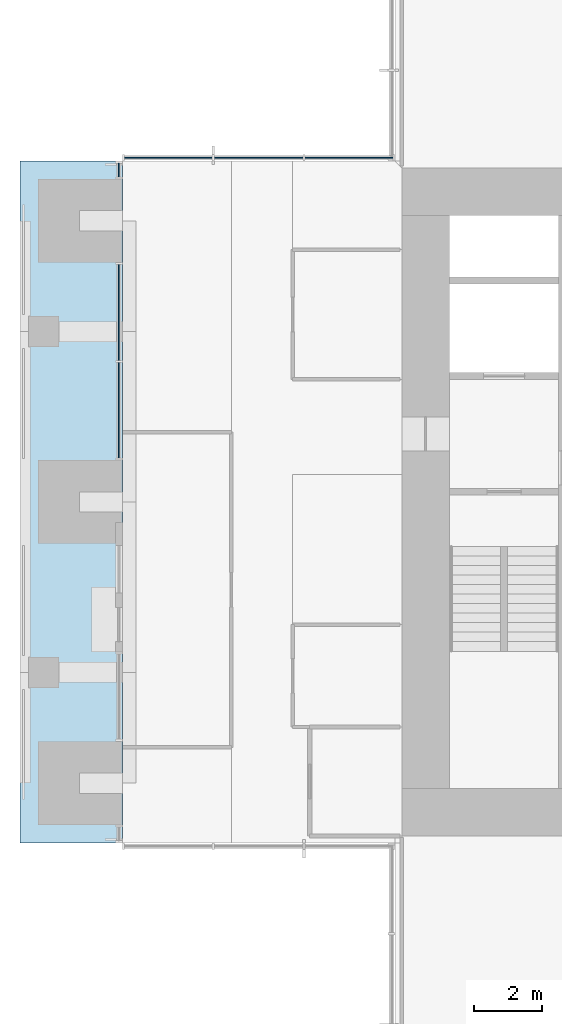
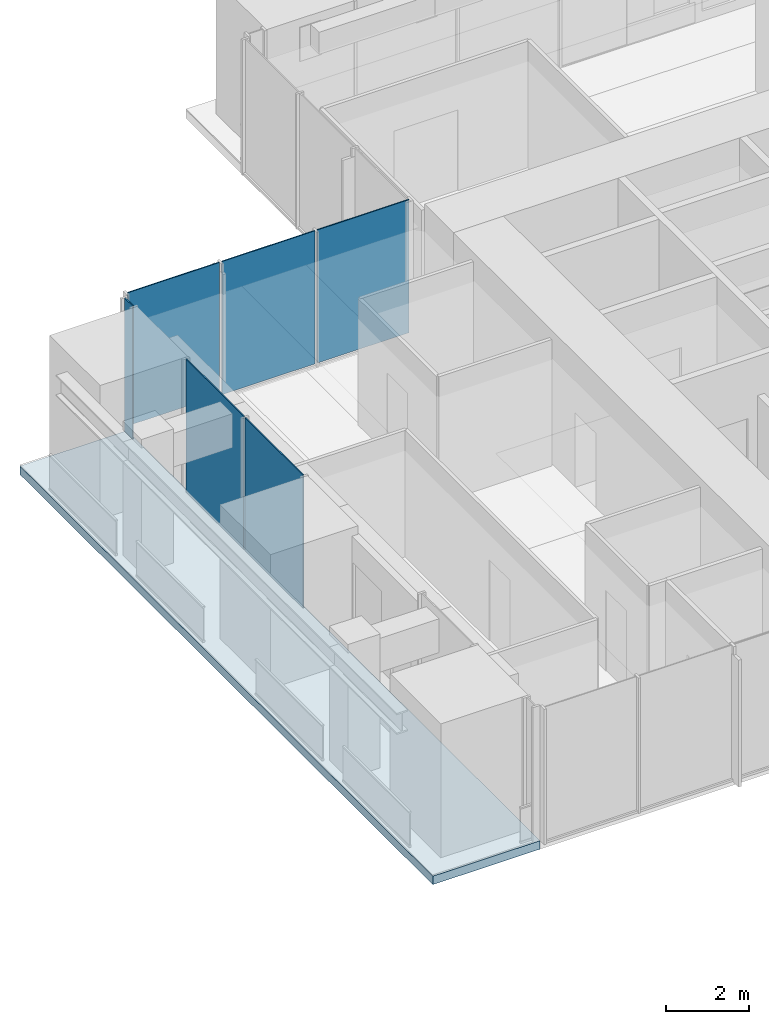
# One storey, part 8 of 17: 6 plates, 1 slab, 3 elements without a shape of their own.
"""IFC4 building model written with IfcOpenShell, lengths in metres."""

from ifc_helpers import new_model, si_unit, direction, frame, origin, origin_2d, place, context, subcontext, project, spatial, polyline, rectangle, outline, extrude, material, layer, layer_set, type_object, element, aggregate, save


model = new_model("IFC4")

# Units and contexts
model_context = context("Model", 3, precision=1e-05, world=origin(), true_north=direction((0.0, 1.0)))
body_context = subcontext(model_context, "Body", "Model", "MODEL_VIEW")
ifc_project = project(units=[si_unit("LENGTHUNIT", "METRE"), si_unit("AREAUNIT", "SQUARE_METRE"), si_unit("VOLUMEUNIT", "CUBIC_METRE"), si_unit("PLANEANGLEUNIT", "RADIAN"), si_unit("MASSUNIT", "GRAM", prefix="KILO")], contexts=[model_context])

# Site, building, storey
site_placement = place(None, origin())
site = spatial("IfcSite", under=ifc_project, at=site_placement, CompositionType="ELEMENT")
building_placement = place(site_placement, origin())
building = spatial("IfcBuilding", under=site, at=building_placement, Name="Svetlomir Tower", CompositionType="ELEMENT")
storey_placement = place(building_placement, frame((0.0, 0.0, 210.5)))
storey = spatial("IfcBuildingStorey", under=building, at=storey_placement, Name="L50", CompositionType="ELEMENT", Elevation=210.5)

# Curtain wall, plates
ifc_material_1 = material(Name="Bronze anodised aluminium curtain wall", Category="aluminium")
curtain_wall_type = type_object("IfcCurtainWallType", Name="CURTAIN WALL CW1 TOWER OFFICE", PredefinedType="NOTDEFINED", material=ifc_material_1)
curtain_wall_1_placement = place(storey_placement, origin())
curtain_wall_1 = element("IfcCurtainWall", 1, at=curtain_wall_1_placement, inside=storey, type_object=curtain_wall_type, Name="Curtain wall CW1 L50", PredefinedType="NOTDEFINED")
ifc_material_2 = material(Name="Tinted double glazed unit", Category="glass")
ifc_layer_1 = layer(ifc_material_2, 0.031982421875)
ifc_layer_set_1 = layer_set([ifc_layer_1], Name="Tinted double glazed unit")
plate_type = type_object("IfcPlateType", Name="CW1 GLAZED PANEL 32", PredefinedType="CURTAIN_PANEL", material=ifc_layer_set_1)
plate_1_placement = place(storey_placement, frame((9.650390625, 31.10009765625, 0.06494140625), z_axis=(0.0, 0.0, 1.0), x_axis=(-1.0, 0.0, 0.0)))
plate_1 = element("IfcPlate", 2, at=plate_1_placement, type_object=plate_type, Name="CW1 panel 1.1", PredefinedType="CURTAIN_PANEL", context=body_context, shape_type="SweptSolid", body=[
    extrude(rectangle(XDim=2.569091796875, YDim=0.031982421875, at=origin_2d()), origin(), (0.0, 0.0, 1.0), 3.93505859375),
])
plate_2_placement = place(storey_placement, frame((7.0, 31.10009765625, 0.06494140625), z_axis=(0.0, 0.0, 1.0), x_axis=(-1.0, 0.0, 0.0)))
plate_2 = element("IfcPlate", 3, at=plate_2_placement, type_object=plate_type, Name="CW1 panel 2.1", PredefinedType="CURTAIN_PANEL", context=body_context, shape_type="SweptSolid", body=[
    extrude(rectangle(XDim=2.6015625, YDim=0.031982421875, at=origin_2d()), origin(), (0.0, 0.0, 1.0), 3.93505859375),
])
plate_3_placement = place(storey_placement, frame((4.349609375, 31.10009765625, 0.06494140625), z_axis=(0.0, 0.0, 1.0), x_axis=(-1.0, 0.0, 0.0)))
plate_3 = element("IfcPlate", 4, at=plate_3_placement, type_object=plate_type, Name="CW1 panel 3.1", PredefinedType="CURTAIN_PANEL", context=body_context, shape_type="SweptSolid", body=[
    extrude(rectangle(XDim=2.569091796875, YDim=0.031982421875, at=origin_2d()), origin(), (0.0, 0.0, 1.0), 3.93505859375),
])
aggregate(curtain_wall_1, [plate_1, plate_2, plate_3])

# Curtain wall, plate
curtain_wall_2_placement = place(storey_placement, origin())
curtain_wall_2 = element("IfcCurtainWall", 5, at=curtain_wall_2_placement, inside=storey, type_object=curtain_wall_type, Name="Curtain wall CW1 L50", PredefinedType="NOTDEFINED")
plate_4_placement = place(storey_placement, frame((2.89990234375, 30.737548828125, 0.06494140625), z_axis=(0.0, 0.0, 1.0), x_axis=(0.0, -1.0, 0.0)))
plate_4 = element("IfcPlate", 6, at=plate_4_placement, type_object=plate_type, Name="CW1 panel 1.1", PredefinedType="CURTAIN_PANEL", context=body_context, shape_type="SweptSolid", body=[
    extrude(rectangle(XDim=0.39501953125, YDim=0.031982421875, at=origin_2d()), origin(), (0.0, 0.0, 1.0), 3.93505859375),
])
aggregate(curtain_wall_2, [plate_4])

# Curtain wall, plates
curtain_wall_3_placement = place(storey_placement, origin())
curtain_wall_3 = element("IfcCurtainWall", 7, at=curtain_wall_3_placement, inside=storey, type_object=curtain_wall_type, Name="Curtain wall CW1 L50", PredefinedType="NOTDEFINED")
plate_5_placement = place(storey_placement, frame((2.89990234375, 26.558837890625, 0.06494140625), z_axis=(0.0, 0.0, 1.0), x_axis=(0.0, -1.0, 0.0)))
plate_5 = element("IfcPlate", 8, at=plate_5_placement, type_object=plate_type, Name="CW1 panel 1.1", PredefinedType="CURTAIN_PANEL", context=body_context, shape_type="SweptSolid", body=[
    extrude(rectangle(XDim=2.802490234375, YDim=0.031982421875, at=origin_2d()), origin(), (0.0, 0.0, 1.0), 3.93505859375),
])
plate_6_placement = place(storey_placement, frame((2.89990234375, 23.691162109375, 0.06494140625), z_axis=(0.0, 0.0, 1.0), x_axis=(0.0, -1.0, 0.0)))
plate_6 = element("IfcPlate", 9, at=plate_6_placement, type_object=plate_type, Name="CW1 panel 2.1", PredefinedType="CURTAIN_PANEL", context=body_context, shape_type="SweptSolid", body=[
    extrude(rectangle(XDim=2.802490234375, YDim=0.031982421875, at=origin_2d()), origin(), (0.0, 0.0, 1.0), 3.93505859375),
])
aggregate(curtain_wall_3, [plate_5, plate_6])

# Slab
ifc_material_3 = material(Name="Concrete C60/75", Category="concrete")
ifc_layer_2 = layer(ifc_material_3, 0.25)
ifc_layer_set_2 = layer_set([ifc_layer_2], Name="Concrete C60/75")
slab_type = type_object("IfcSlabType", Name="PLANTED LOGGIA SLAB 250", PredefinedType="FLOOR", material=ifc_layer_set_2)
slab_placement = place(storey_placement, frame((0.0, 0.0, -0.25)))
element("IfcSlab", 10, at=slab_placement, inside=storey, type_object=slab_type, Name="L50 W planted loggia", PredefinedType="FLOOR", context=body_context, shape_type="SweptSolid", body=[
    extrude(outline(polyline([(0.0, 11.0), (3.0, 11.0), (3.0, 31.0), (0.0, 31.0), (0.0, 11.0)])), origin(), (0.0, 0.0, 1.0), 0.25),
])

save(model, "model.ifc")
